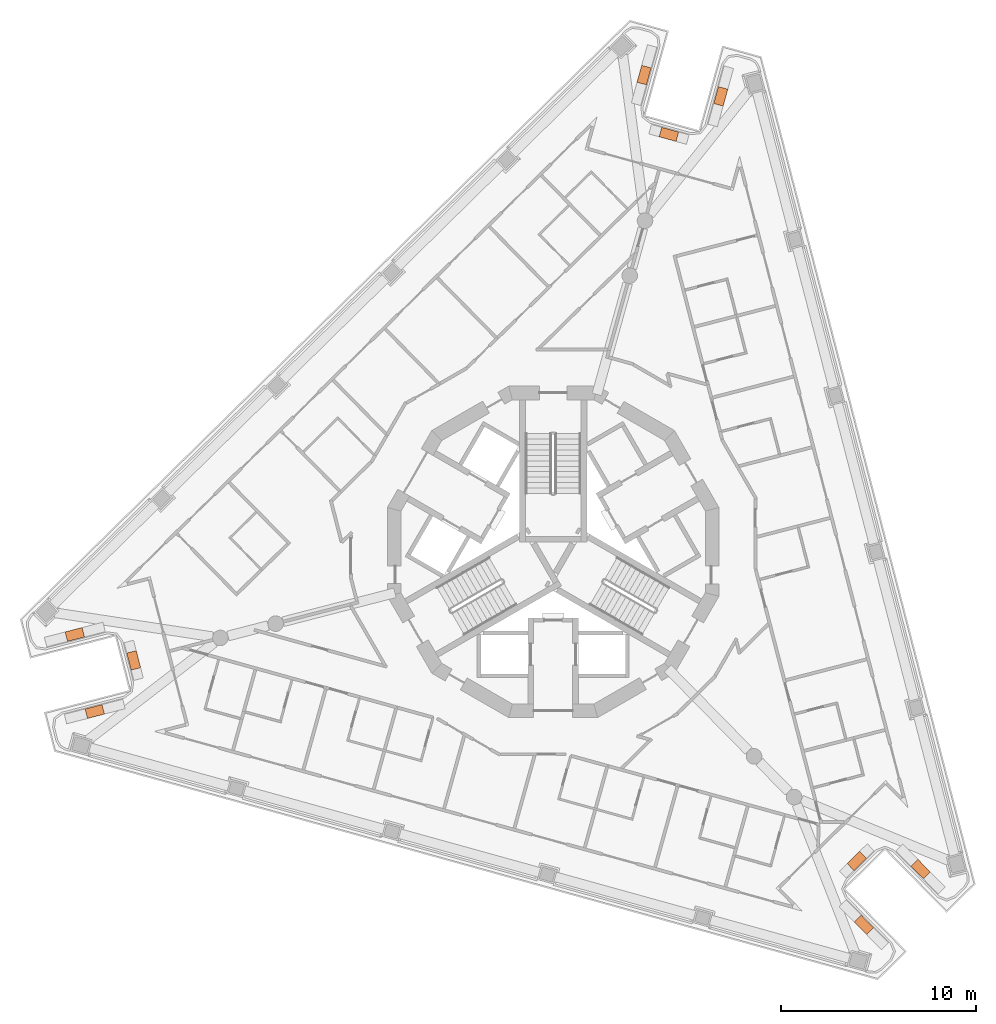
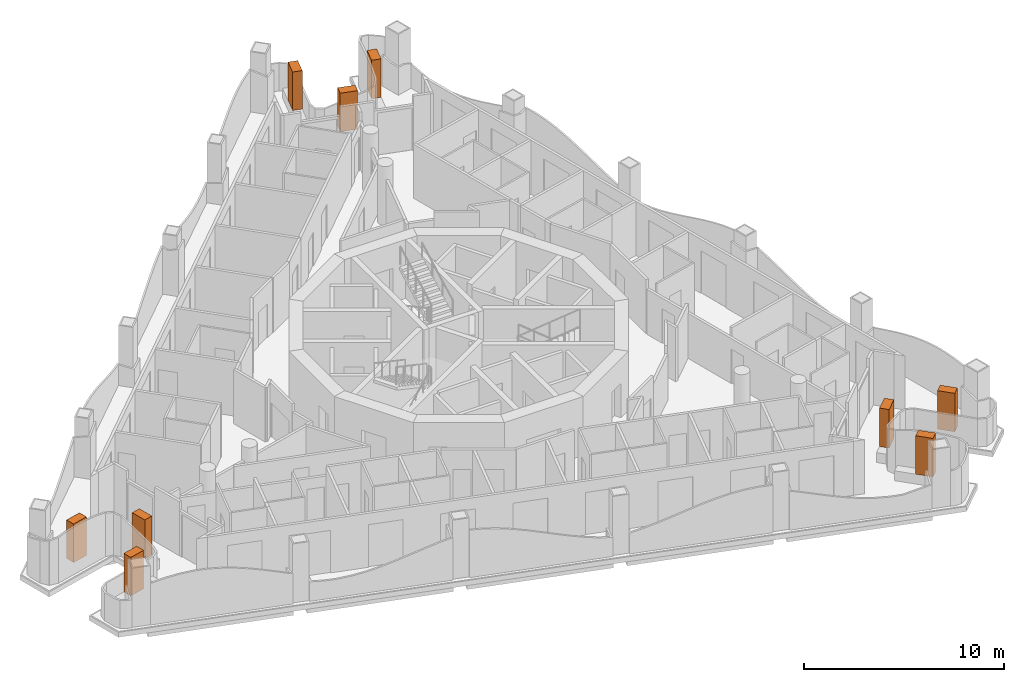
# One storey, part 15 of 15: 9 geographic elements.
"""IFC4 building model written with IfcOpenShell, lengths in metres."""

from ifc_helpers import new_model, si_unit, direction, frame, origin, origin_2d, place, context, subcontext, project, spatial, rectangle, extrude, element, save


model = new_model("IFC4")

# Units and contexts
model_context = context("Model", 3, precision=1e-05, world=origin(), true_north=direction((0.0, 1.0)))
body_context = subcontext(model_context, "Body", "Model", "MODEL_VIEW")
ifc_project = project(units=[si_unit("LENGTHUNIT", "METRE"), si_unit("AREAUNIT", "SQUARE_METRE"), si_unit("VOLUMEUNIT", "CUBIC_METRE"), si_unit("PLANEANGLEUNIT", "RADIAN"), si_unit("MASSUNIT", "GRAM", prefix="KILO")], contexts=[model_context])

# Site, building, storey
site_placement = place(None, origin())
site = spatial("IfcSite", under=ifc_project, at=site_placement, CompositionType="ELEMENT")
building_placement = place(site_placement, origin())
building = spatial("IfcBuilding", under=site, at=building_placement, Name="Trine Commons Tower", CompositionType="ELEMENT")
storey_placement = place(building_placement, frame((0.0, 0.0, 260.10009765625)))
storey = spatial("IfcBuildingStorey", under=building, at=storey_placement, Name="L68", CompositionType="ELEMENT", Elevation=260.10009765625)

# Geographic elements
for number, where, z_axis, x_axis, name in (
    (1, (56.49560546875, 54.314208984375, 0.599853515625), (0.0, 0.0, 1.0), (0.968152010186, 0.250363106652, 0.0), "Tree 1.1"),
    (2, (58.4921875, 56.937744140625, 0.599853515625), (0.0, 0.0, 1.0), (-0.250410419186, 0.968139773981, 0.0), "Tree 2.1"),
    (3, (55.473876953125, 58.264404296875, 0.599853515625), (0.0, 0.0, 1.0), (-0.968152010186, -0.250363106652, 0.0), "Tree 3.1"),
    (4, (84.6630859375, 86.948486328125, 0.599853515625), (0.0, 0.0, 1.0), (-0.26724005793, -0.963629986788, 0.0), "Tree 4.1"),
    (5, (85.936767578125, 83.907470703125, 0.599853515625), (0.0, 0.0, 1.0), (0.963633718069, -0.267226603091, 0.0), "Tree 5.1"),
    (6, (88.5947265625, 85.85791015625, 0.599853515625), (0.0, 0.0, 1.0), (0.26724005793, 0.963629986788, 0.0), "Tree 6.1"),
    (7, (98.84130859375, 46.2373046875, 0.599853515625), (0.0, 0.0, 1.0), (-0.700898060502, 0.713261458923, 0.0), "Tree 7.1"),
    (8, (95.57080078125, 46.65478515625, 0.599853515625), (0.0, 0.0, 1.0), (-0.713239439209, -0.700920467925, 0.0), "Tree 8.1"),
    (9, (95.931396484375, 43.377685546875, 0.599853515625), (0.0, 0.0, 1.0), (0.700898060502, -0.713261458923, 0.0), "Tree 9.1"),
):
    element("IfcGeographicElement", number, at=place(storey_placement, frame(where, z_axis=z_axis, x_axis=x_axis)), inside=storey, Name=name, ObjectType="TREE Tabebuia rosea", PredefinedType="USERDEFINED", context=body_context, shape_type="SweptSolid", body=[
        extrude(rectangle(XDim=0.89990234375, YDim=0.5, at=origin_2d()), origin(), (0.0, 0.0, 1.0), 2.35009765625),
    ])

save(model, "model.ifc")
